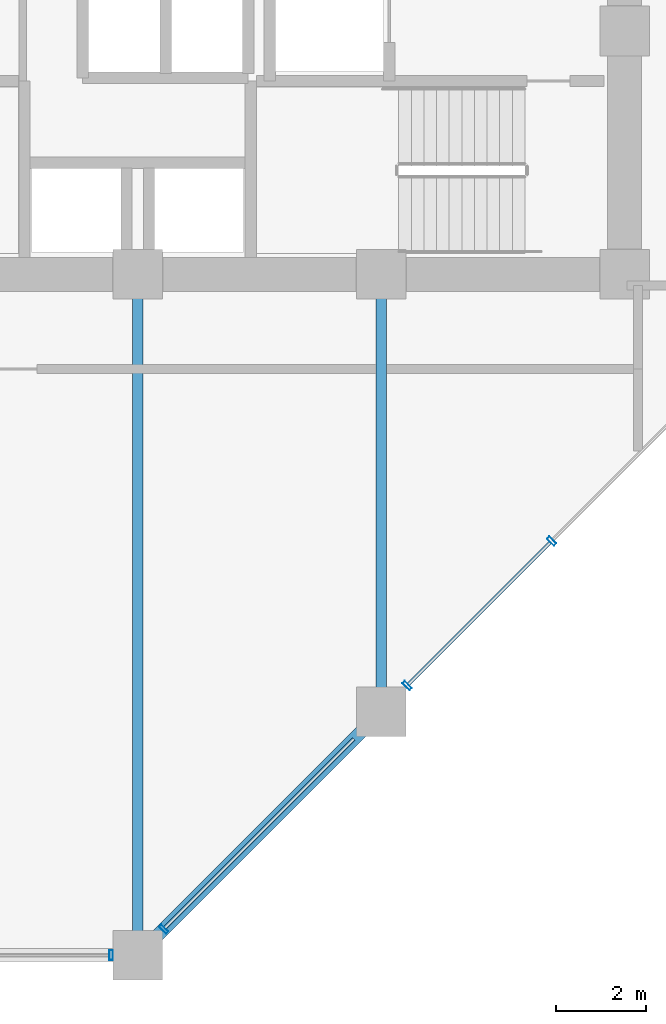
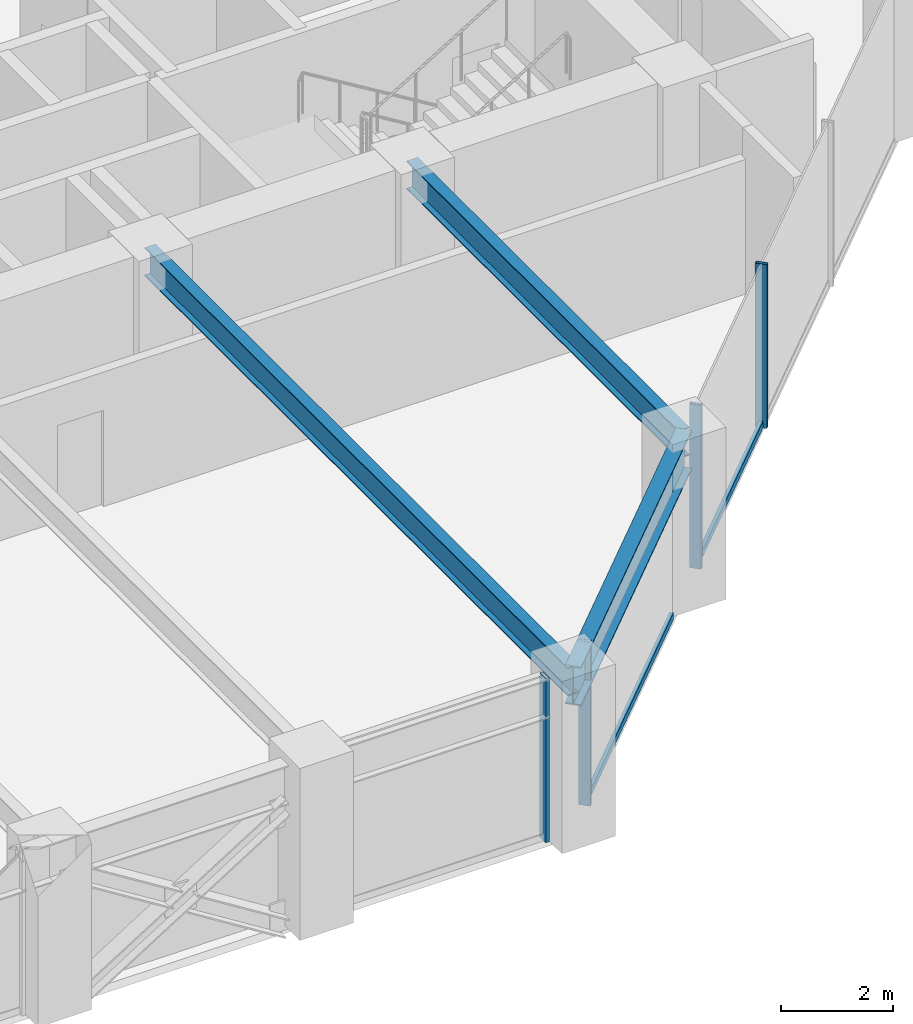
# One storey, part 7 of 25: 6 members, 3 beams, 2 elements without a shape of their own.
"""IFC4 building model written with IfcOpenShell, lengths in metres."""

from ifc_helpers import new_model, si_unit, direction, frame, origin, origin_2d, place, context, subcontext, project, spatial, hollow_rectangle, i_section, extrude, material, layer, layer_set, material_profile, profile_set, type_object, element, aggregate, save


model = new_model("IFC4")

# Units and contexts
model_context = context("Model", 3, precision=1e-05, world=origin(), true_north=direction((0.0, 1.0)))
body_context = subcontext(model_context, "Body", "Model", "MODEL_VIEW")
ifc_project = project(units=[si_unit("LENGTHUNIT", "METRE"), si_unit("AREAUNIT", "SQUARE_METRE"), si_unit("VOLUMEUNIT", "CUBIC_METRE"), si_unit("PLANEANGLEUNIT", "RADIAN"), si_unit("MASSUNIT", "GRAM", prefix="KILO")], contexts=[model_context])

# Site, building, storey
site_placement = place(None, origin())
site = spatial("IfcSite", under=ifc_project, at=site_placement, CompositionType="ELEMENT")
building_placement = place(site_placement, origin())
building = spatial("IfcBuilding", under=site, at=building_placement, Name="Surkhivell Harbour Commons", CompositionType="ELEMENT")
storey_placement = place(building_placement, frame((0.0, 0.0, 98.25)))
storey = spatial("IfcBuildingStorey", under=building, at=storey_placement, Name="L25", CompositionType="ELEMENT", Elevation=98.25)

# Beams
ifc_material_1 = material(Name="Steel S355", Category="steel")
ifc_material_profile_1 = material_profile(ifc_material_1, i_section(OverallWidth=0.22998046875, OverallDepth=0.616943359375, WebThickness=0.01318359375, FlangeThickness=0.022216796875, at=origin_2d()), Name="UB610x229x140")
ifc_profile_set_1 = profile_set([ifc_material_profile_1], Name="Steel S355")
beam_type_1 = type_object("IfcBeamType", Name="BM-GRD-610B", PredefinedType="BEAM", material=ifc_profile_set_1)
beam_1_placement = place(storey_placement, frame((0.0, -25.89990234375, 3.261474609375), z_axis=(0.0, 1.0, 0.0), x_axis=(-1.0, 0.0, 0.0)))
element("IfcBeam", 1, at=beam_1_placement, inside=storey, type_object=beam_type_1, Name="L25 Floor Girder (0.0,-25.9)", PredefinedType="BEAM", context=body_context, shape_type="SweptSolid", body=[
    extrude(i_section(OverallWidth=0.22998046875, OverallDepth=0.616943359375, WebThickness=0.01318359375, FlangeThickness=0.022216796875, at=origin_2d()), origin(), (0.0, 0.0, 1.0), 15.099853515625),
])
beam_2_placement = place(storey_placement, frame((5.39990234375, -20.5, 3.261474609375), z_axis=(0.0, 1.0, 0.0), x_axis=(-1.0, 0.0, 0.0)))
element("IfcBeam", 2, at=beam_2_placement, inside=storey, type_object=beam_type_1, Name="L25 Floor Girder (5.4,-20.5)", PredefinedType="BEAM", context=body_context, shape_type="SweptSolid", body=[
    extrude(i_section(OverallWidth=0.22998046875, OverallDepth=0.616943359375, WebThickness=0.01318359375, FlangeThickness=0.022216796875, at=origin_2d()), origin(), (0.0, 0.0, 1.0), 9.699951171875),
])
ifc_material_2 = material(Name="Steel S460", Category="steel")
ifc_material_profile_2 = material_profile(ifc_material_2, i_section(OverallWidth=0.2939453125, OverallDepth=0.85107421875, WebThickness=0.01611328125, FlangeThickness=0.02685546875, at=origin_2d()), Name="UB838x292x226")
ifc_profile_set_2 = profile_set([ifc_material_profile_2], Name="Steel S460")
beam_type_2 = type_object("IfcBeamType", Name="BM-SPN-838", PredefinedType="SPANDREL", material=ifc_profile_set_2)
beam_3_placement = place(storey_placement, frame((0.0, -25.89990234375, 3.14453125), z_axis=(0.707106781187, 0.707106781187, 0.0), x_axis=(-0.707106781187, 0.707106781187, 0.0)))
element("IfcBeam", 3, at=beam_3_placement, inside=storey, type_object=beam_type_2, Name="L25 Tube Spandrel (-0.0,-25.9)", PredefinedType="SPANDREL", context=body_context, shape_type="SweptSolid", body=[
    extrude(i_section(OverallWidth=0.2939453125, OverallDepth=0.85107421875, WebThickness=0.01611328125, FlangeThickness=0.02685546875, at=origin_2d()), origin(), (0.0, 0.0, 1.0), 7.63671875),
])

# Curtain wall, member
ifc_material_3 = material(Name="Anodised pale-metal aluminium and insulated glazing", Category="aluminium")
ifc_layer = layer(ifc_material_3, 0.205078125)
ifc_layer_set = layer_set([ifc_layer], Name="Anodised pale-metal aluminium and insulated glazing")
curtain_wall_type = type_object("IfcCurtainWallType", Name="CW-SYS-Z2", PredefinedType="NOTDEFINED", material=ifc_layer_set)
curtain_wall_1_placement = place(storey_placement, origin())
curtain_wall_1 = element("IfcCurtainWall", 4, at=curtain_wall_1_placement, inside=storey, type_object=curtain_wall_type, Name="L25 Curtain Wall CW-L25-E00S2", PredefinedType="NOTDEFINED")
ifc_material_4 = material(Name="Anodised pale-metal aluminium alloy 6063-T6", Category="aluminium")
ifc_material_profile_3 = material_profile(ifc_material_4, hollow_rectangle(XDim=0.074951171875, YDim=0.219970703125, WallThickness=0.00390625, at=origin_2d()), Name="ALU-MULL-75x220")
ifc_profile_set_3 = profile_set([ifc_material_profile_3], Name="Anodised pale-metal aluminium alloy 6063-T6")
member_type_1 = type_object("IfcMemberType", Name="CWM-220", PredefinedType="MULLION", material=ifc_profile_set_3)
member_1_placement = place(storey_placement, frame((-0.589599609375, -25.89990234375, 0.0), z_axis=(0.0, 0.0, 1.0), x_axis=(1.0, 0.0, 0.0)))
member_1 = element("IfcMember", 5, at=member_1_placement, type_object=member_type_1, Name="CW-Z2 mullion 2", PredefinedType="MULLION", context=body_context, shape_type="SweptSolid", body=[
    extrude(hollow_rectangle(XDim=0.074951171875, YDim=0.219970703125, WallThickness=0.00390625, at=origin_2d()), origin(), (0.0, 0.0, 1.0), 3.570068359375),
])
aggregate(curtain_wall_1, [member_1])

# Curtain wall, members
curtain_wall_2_placement = place(storey_placement, origin())
curtain_wall_2 = element("IfcCurtainWall", 6, at=curtain_wall_2_placement, inside=storey, type_object=curtain_wall_type, Name="L25 Curtain Wall CW-L25-E01", PredefinedType="NOTDEFINED")
member_2_placement = place(storey_placement, frame((0.578125, -25.32177734375, 0.0), z_axis=(0.0, 0.0, 1.0), x_axis=(0.707106781187, 0.707106781187, 0.0)))
member_2 = element("IfcMember", 7, at=member_2_placement, type_object=member_type_1, Name="CW-Z2 mullion 1", PredefinedType="MULLION", context=body_context, shape_type="SweptSolid", body=[
    extrude(hollow_rectangle(XDim=0.074951171875, YDim=0.219970703125, WallThickness=0.00390625, at=origin_2d()), origin(), (0.0, 0.0, 1.0), 3.570068359375),
])
member_3_placement = place(storey_placement, frame((5.978271484375, -19.921875, 0.0), z_axis=(0.0, 0.0, 1.0), x_axis=(0.707106781187, 0.707106781187, 0.0)))
member_3 = element("IfcMember", 8, at=member_3_placement, type_object=member_type_1, Name="CW-Z2 mullion 2", PredefinedType="MULLION", context=body_context, shape_type="SweptSolid", body=[
    extrude(hollow_rectangle(XDim=0.074951171875, YDim=0.219970703125, WallThickness=0.00390625, at=origin_2d()), origin(), (0.0, 0.0, 1.0), 3.570068359375),
])
member_4_placement = place(storey_placement, frame((9.183837890625, -16.716064453125, 0.0), z_axis=(0.0, 0.0, 1.0), x_axis=(0.707106781187, 0.707106781187, 0.0)))
member_4 = element("IfcMember", 9, at=member_4_placement, type_object=member_type_1, Name="CW-Z2 mullion 3", PredefinedType="MULLION", context=body_context, shape_type="SweptSolid", body=[
    extrude(hollow_rectangle(XDim=0.074951171875, YDim=0.219970703125, WallThickness=0.00390625, at=origin_2d()), origin(), (0.0, 0.0, 1.0), 3.570068359375),
])
ifc_material_profile_4 = material_profile(ifc_material_4, hollow_rectangle(XDim=0.074951171875, YDim=0.14990234375, WallThickness=0.00341796875, at=origin_2d()), Name="ALU-TRAN-75x150")
ifc_profile_set_4 = profile_set([ifc_material_profile_4], Name="Anodised pale-metal aluminium alloy 6063-T6")
member_type_2 = type_object("IfcMemberType", Name="CWT-150", PredefinedType="USERDEFINED", material=ifc_profile_set_4)
member_5_placement = place(storey_placement, frame((0.604736328125, -25.295166015625, 0.074951171875), z_axis=(0.707106781187, 0.707106781187, 0.0), x_axis=(-0.707106781187, 0.707106781187, 0.0)))
member_5 = element("IfcMember", 10, at=member_5_placement, type_object=member_type_2, Name="CW-Z2 transom 1.1", ObjectType="TRANSOM", PredefinedType="USERDEFINED", context=body_context, shape_type="SweptSolid", body=[
    extrude(hollow_rectangle(XDim=0.074951171875, YDim=0.14990234375, WallThickness=0.00341796875, at=origin_2d()), origin(), (0.0, 0.0, 1.0), 5.92626953125),
])
member_6_placement = place(storey_placement, frame((6.004638671875, -19.895263671875, 0.074951171875), z_axis=(0.707134159244, 0.707079402069, 0.0), x_axis=(-0.707079402069, 0.707134159244, 0.0)))
member_6 = element("IfcMember", 11, at=member_6_placement, type_object=member_type_2, Name="CW-Z2 transom 2.1", ObjectType="TRANSOM", PredefinedType="USERDEFINED", context=body_context, shape_type="SweptSolid", body=[
    extrude(hollow_rectangle(XDim=0.074951171875, YDim=0.14990234375, WallThickness=0.00341796875, at=origin_2d()), origin(), (0.0, 0.0, 1.0), 4.45849609375),
])
aggregate(curtain_wall_2, [member_2, member_5, member_3, member_4, member_6])

save(model, "model.ifc")
